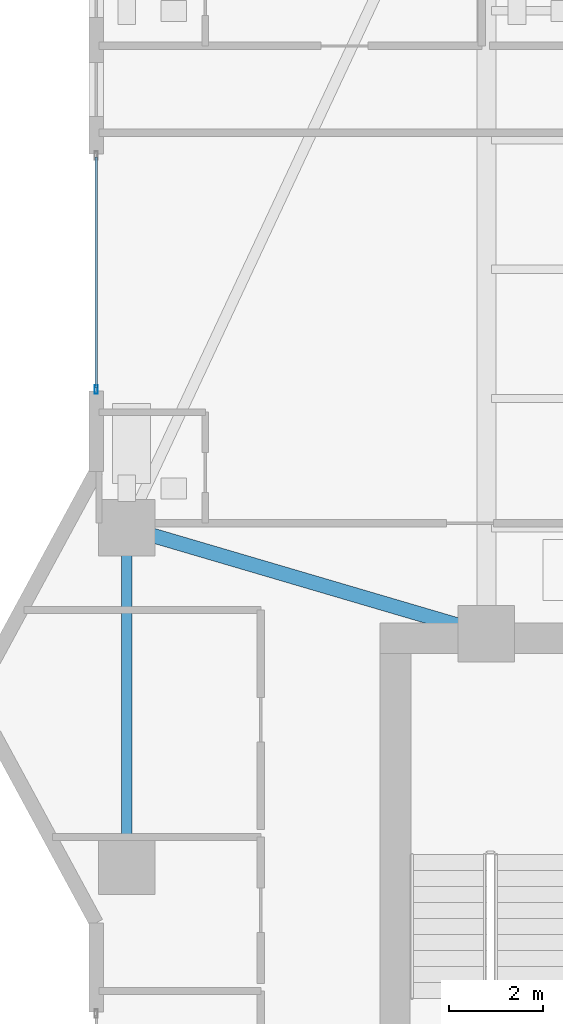
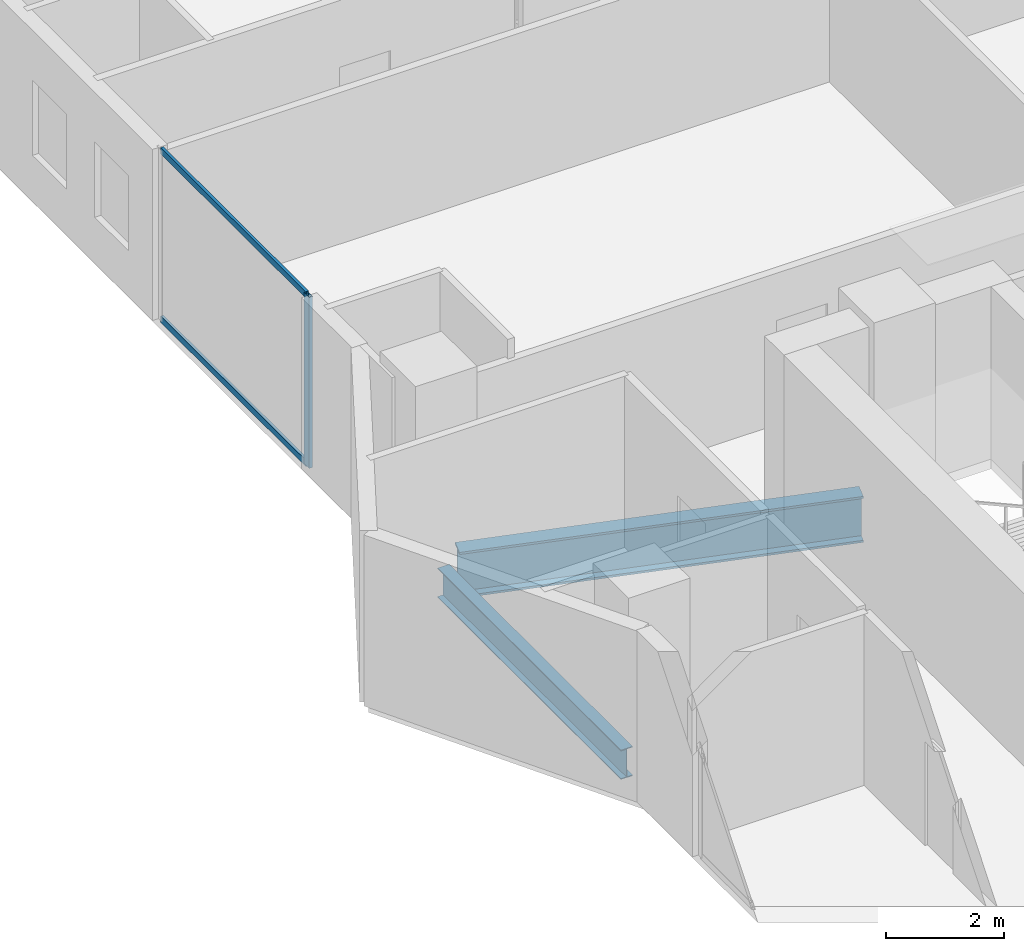
# One storey, part 7 of 32: 3 members, 2 beams, 1 element without a shape of its own.
"""IFC4 building model written with IfcOpenShell, lengths in metres."""

from ifc_helpers import new_model, si_unit, direction, frame, origin, origin_2d, place, context, subcontext, project, spatial, hollow_rectangle, i_section, extrude, material, layer, layer_set, material_profile, profile_set, type_object, element, aggregate, save


model = new_model("IFC4")

# Units and contexts
model_context = context("Model", 3, precision=1e-05, world=origin(), true_north=direction((0.0, 1.0)))
body_context = subcontext(model_context, "Body", "Model", "MODEL_VIEW")
ifc_project = project(units=[si_unit("LENGTHUNIT", "METRE"), si_unit("AREAUNIT", "SQUARE_METRE"), si_unit("VOLUMEUNIT", "CUBIC_METRE"), si_unit("PLANEANGLEUNIT", "RADIAN"), si_unit("MASSUNIT", "GRAM", prefix="KILO")], contexts=[model_context])

# Site, building, storey
site_placement = place(None, origin())
site = spatial("IfcSite", under=ifc_project, at=site_placement, CompositionType="ELEMENT")
building_placement = place(site_placement, origin())
building = spatial("IfcBuilding", under=site, at=building_placement, Name="Zuhayl Quay Hotel", CompositionType="ELEMENT")
storey_placement = place(building_placement, frame((0.0, 0.0, 196.14990234375)))
storey = spatial("IfcBuildingStorey", under=building, at=storey_placement, Name="L49", CompositionType="ELEMENT", Elevation=196.14990234375)

# Beams
ifc_material_1 = material(Name="Steel ASTM A992 Grade 50", Category="steel")
ifc_material_profile_1 = material_profile(ifc_material_1, i_section(OverallWidth=0.22802734375, OverallDepth=0.60693359375, WebThickness=0.01123046875, FlangeThickness=0.017333984375, at=origin_2d()), Name="W24X76")
ifc_profile_set_1 = profile_set([ifc_material_profile_1], Name="Steel ASTM A992 Grade 50")
beam_type_1 = type_object("IfcBeamType", Name="BM_B3_W24X76", PredefinedType="BEAM", material=ifc_profile_set_1)
beam_1_placement = place(storey_placement, frame((-21.449951171875, 16.10009765625, -0.5234375), z_axis=(0.0, -1.0, 0.0), x_axis=(1.0, 0.0, 0.0)))
element("IfcBeam", 1, at=beam_1_placement, inside=storey, type_object=beam_type_1, Name="L49 Floor Beam RG_L49_11", PredefinedType="BEAM", context=body_context, shape_type="SweptSolid", body=[
    extrude(i_section(OverallWidth=0.22802734375, OverallDepth=0.60693359375, WebThickness=0.01123046875, FlangeThickness=0.017333984375, at=origin_2d()), origin(), (0.0, 0.0, 1.0), 6.2001953125),
])
ifc_material_profile_2 = material_profile(ifc_material_1, i_section(OverallWidth=0.31005859375, OverallDepth=0.949951171875, WebThickness=0.0244140625, FlangeThickness=0.0439453125, at=origin_2d()), Name="W36X256")
ifc_profile_set_2 = profile_set([ifc_material_profile_2], Name="Steel ASTM A992 Grade 50")
beam_type_2 = type_object("IfcBeamType", Name="BM_PG1_W36X256", PredefinedType="BEAM", material=ifc_profile_set_2)
beam_2_placement = place(storey_placement, frame((-20.97021484375, 16.458984375, -0.69482421875), z_axis=(0.959364948093, -0.282168205812, 0.0), x_axis=(0.282168205812, 0.959364948093, 0.0)))
element("IfcBeam", 2, at=beam_2_placement, inside=storey, type_object=beam_type_2, Name="L49 Floor Beam FG_W_L49_2", PredefinedType="BEAM", context=body_context, shape_type="SweptSolid", body=[
    extrude(i_section(OverallWidth=0.31005859375, OverallDepth=0.949951171875, WebThickness=0.0244140625, FlangeThickness=0.0439453125, at=origin_2d()), origin(), (0.0, 0.0, 1.0), 7.02392578125),
])

# Curtain wall, members
ifc_material_2 = material(Name="Anodised Aluminium 6063-T6", Category="aluminium")
ifc_layer = layer(ifc_material_2, 0.175048828125, Name="Anodised Aluminium 6063-T6", Category="aluminium")
ifc_layer_set = layer_set([ifc_layer], Name="Anodised Aluminium 6063-T6")
curtain_wall_type = type_object("IfcCurtainWallType", Name="CW_SYS_Z3", PredefinedType="USERDEFINED", material=ifc_layer_set)
curtain_wall_placement = place(storey_placement, origin())
curtain_wall = element("IfcCurtainWall", 3, at=curtain_wall_placement, inside=storey, type_object=curtain_wall_type, Name="L49 Curtain Wall ENV_L49_E05_CW1", ObjectType="UNITISED CURTAIN WALL", PredefinedType="USERDEFINED")
ifc_material_3 = material(Name="Black-anodised aluminium 6063-T6", Category="aluminium")
ifc_material_profile_3 = material_profile(ifc_material_3, hollow_rectangle(XDim=0.06494140625, YDim=0.179931640625, WallThickness=0.00341796875, at=origin_2d()), Name="ALU180X65")
ifc_profile_set_3 = profile_set([ifc_material_profile_3], Name="Black-anodised aluminium 6063-T6")
member_type_1 = type_object("IfcMemberType", Name="MB_CW_MUL_180", PredefinedType="MULLION", material=ifc_profile_set_3)
member_1_placement = place(storey_placement, frame((-22.10009765625, 19.54248046875, 0.0), z_axis=(0.0, 0.0, 1.0), x_axis=(-1.0, 0.0, 0.0)))
member_1 = element("IfcMember", 4, at=member_1_placement, type_object=member_type_1, Name="CW-Z3 mullion 1", PredefinedType="MULLION", context=body_context, shape_type="SweptSolid", body=[
    extrude(hollow_rectangle(XDim=0.06494140625, YDim=0.179931640625, WallThickness=0.00341796875, at=origin_2d()), origin(), (0.0, 0.0, 1.0), 3.530029296875),
])
ifc_material_profile_4 = material_profile(ifc_material_3, hollow_rectangle(XDim=0.054931640625, YDim=0.1298828125, WallThickness=0.0029296875, at=origin_2d()), Name="ALU130X55")
ifc_profile_set_4 = profile_set([ifc_material_profile_4], Name="Black-anodised aluminium 6063-T6")
member_type_2 = type_object("IfcMemberType", Name="MB_CW_TRN_130", PredefinedType="USERDEFINED", material=ifc_profile_set_4)
member_2_placement = place(storey_placement, frame((-22.10009765625, 19.574951171875, 0.027587890625), z_axis=(0.0, 1.0, 0.0), x_axis=(-1.0, 0.0, 0.0)))
member_2 = element("IfcMember", 5, at=member_2_placement, type_object=member_type_2, Name="CW-Z3 transom 1.1", ObjectType="TRANSOM", PredefinedType="USERDEFINED", context=body_context, shape_type="SweptSolid", body=[
    extrude(hollow_rectangle(XDim=0.054931640625, YDim=0.1298828125, WallThickness=0.0029296875, at=origin_2d()), origin(), (0.0, 0.0, 1.0), 4.91015625),
])
member_3_placement = place(storey_placement, frame((-22.10009765625, 19.574951171875, 3.502685546875), z_axis=(0.0, 1.0, 0.0), x_axis=(-1.0, 0.0, 0.0)))
member_3 = element("IfcMember", 6, at=member_3_placement, type_object=member_type_2, Name="CW-Z3 transom 1.2", ObjectType="TRANSOM", PredefinedType="USERDEFINED", context=body_context, shape_type="SweptSolid", body=[
    extrude(hollow_rectangle(XDim=0.054931640625, YDim=0.1298828125, WallThickness=0.0029296875, at=origin_2d()), origin(), (0.0, 0.0, 1.0), 4.91015625),
])
aggregate(curtain_wall, [member_1, member_2, member_3])

save(model, "model.ifc")
